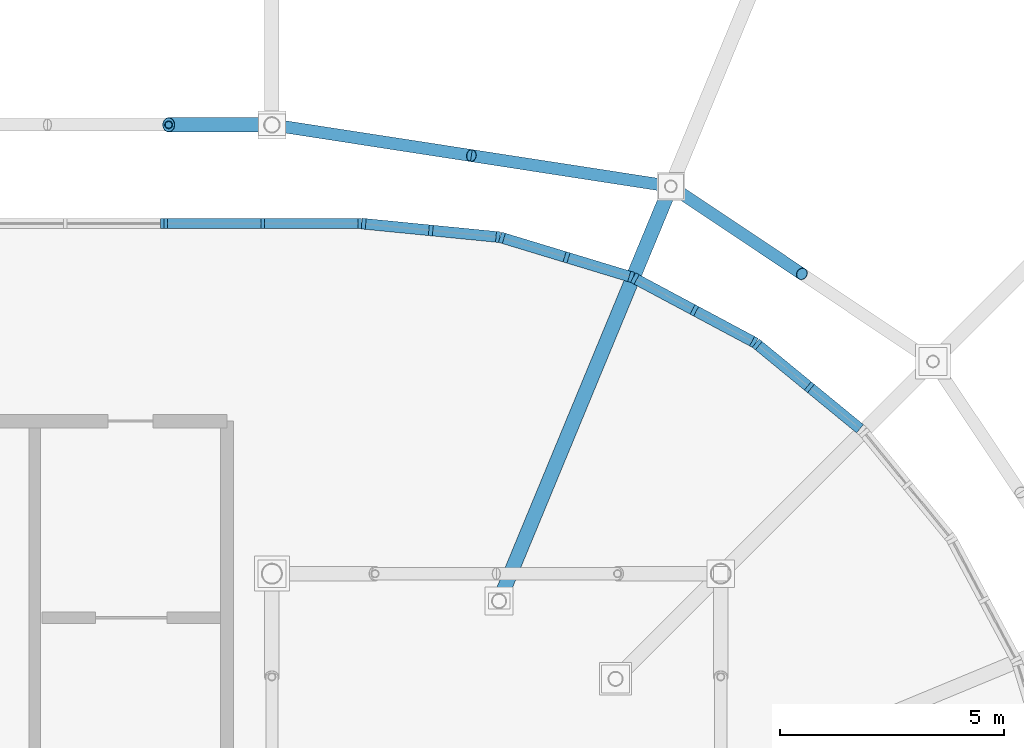
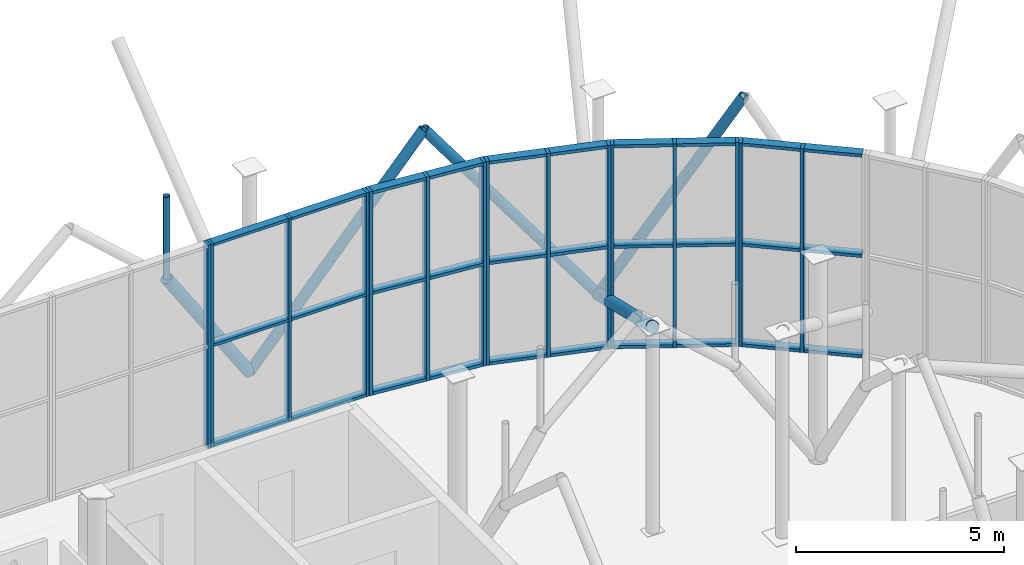
# One storey, part 78 of 109: 51 members, 6 elements without a shape of their own.
"""IFC4 building model written with IfcOpenShell, lengths in metres."""

from ifc_helpers import new_model, si_unit, derived_unit, direction, frame, origin, origin_2d_with_axis, place, context, subcontext, project, spatial, rectangle, hollow_circle, extrude, material, material_profile, profile_set, type_object, element, aggregate, save


model = new_model("IFC4")

# Units and contexts
model_context = context("Model", 3, precision=1e-05, world=origin(), true_north=direction((0.0, 1.0)))
body_context = subcontext(model_context, "Body", "Model", "MODEL_VIEW")
ifc_project = project(units=[si_unit("LENGTHUNIT", "METRE"), si_unit("AREAUNIT", "SQUARE_METRE"), si_unit("VOLUMEUNIT", "CUBIC_METRE"), si_unit("PLANEANGLEUNIT", "RADIAN"), si_unit("MASSUNIT", "GRAM", prefix="KILO"), derived_unit("THERMALTRANSMITTANCEUNIT", [(si_unit("POWERUNIT", "WATT"), 1), (si_unit("LENGTHUNIT", "METRE"), -2), (si_unit("THERMODYNAMICTEMPERATUREUNIT", "KELVIN"), -1)])], contexts=[model_context])

# Site, building, storey
site_placement = place(None, origin())
site = spatial("IfcSite", under=ifc_project, at=site_placement, CompositionType="ELEMENT")
building_placement = place(site_placement, origin())
building = spatial("IfcBuilding", under=site, at=building_placement, Name="Cinnabar Yard Market Hall", CompositionType="ELEMENT")
storey_placement = place(building_placement, frame((0.0, 0.0, 8.39990234375)))
storey = spatial("IfcBuildingStorey", under=building, at=storey_placement, Name="L02", CompositionType="ELEMENT", Elevation=8.39990234375)

# Curtain wall, members
ifc_material_1 = material(Name="Anodised bronze aluminium curved-chord facade", Category="aluminium")
curtain_wall_type_1 = type_object("IfcCurtainWallType", Name="CW-CWC031x60", PredefinedType="NOTDEFINED", material=ifc_material_1)
curtain_wall_1_placement = place(storey_placement, origin())
curtain_wall_1 = element("IfcCurtainWall", 1, at=curtain_wall_1_placement, inside=storey, type_object=curtain_wall_type_1, Name="Corner NE Chord 5 L02", PredefinedType="NOTDEFINED")
ifc_material_2 = material(Name="Anodised bronze aluminium", Category="aluminium")
ifc_material_profile_1 = material_profile(ifc_material_2, rectangle(XDim=0.239990234375, YDim=0.090087890625, at=origin_2d_with_axis()), Name="MUL-CWC")
ifc_profile_set_1 = profile_set([ifc_material_profile_1], Name="Anodised bronze aluminium")
member_type_1 = type_object("IfcMemberType", Name="CWM-CWC", PredefinedType="MULLION", material=ifc_profile_set_1)
member_1_placement = place(storey_placement, frame((157.97509765625, 68.15478515625, 0.0), z_axis=(0.0, 0.0, 1.0), x_axis=(-0.634383400924, -0.773018564222, 0.0)))
member_1 = element("IfcMember", 2, at=member_1_placement, type_object=member_type_1, Name="CWC031x60 mullion 2", PredefinedType="MULLION", context=body_context, shape_type="SweptSolid", body=[
    extrude(rectangle(XDim=0.239990234375, YDim=0.090087890625, at=origin_2d_with_axis()), origin(), (0.0, 0.0, 1.0), 5.97998046875),
])
member_2_placement = place(storey_placement, frame((156.812744140625, 69.108642578125, 0.0), z_axis=(0.0, 0.0, 1.0), x_axis=(-0.634383400924, -0.773018564222, 0.0)))
member_2 = element("IfcMember", 3, at=member_2_placement, type_object=member_type_1, Name="CWC031x60 mullion 3", PredefinedType="MULLION", context=body_context, shape_type="SweptSolid", body=[
    extrude(rectangle(XDim=0.239990234375, YDim=0.090087890625, at=origin_2d_with_axis()), origin(), (0.0, 0.0, 1.0), 5.97998046875),
])

curtain_wall_2_placement = place(storey_placement, origin())
curtain_wall_2 = element("IfcCurtainWall", 4, at=curtain_wall_2_placement, inside=storey, type_object=curtain_wall_type_1, Name="Corner NE Chord 6 L02", PredefinedType="NOTDEFINED")
member_3_placement = place(storey_placement, frame((156.73828125, 69.158447265625, 0.0), z_axis=(0.0, 0.0, 1.0), x_axis=(-0.471404114786, -0.881917320707, 0.0)))
member_3 = element("IfcMember", 5, at=member_3_placement, type_object=member_type_1, Name="CWC031x60 mullion 1", PredefinedType="MULLION", context=body_context, shape_type="SweptSolid", body=[
    extrude(rectangle(XDim=0.239990234375, YDim=0.090087890625, at=origin_2d_with_axis()), origin(), (0.0, 0.0, 1.0), 5.97998046875),
])
member_4_placement = place(storey_placement, frame((155.412109375, 69.8671875, 0.0), z_axis=(0.0, 0.0, 1.0), x_axis=(-0.471404114786, -0.881917320707, 0.0)))
member_4 = element("IfcMember", 6, at=member_4_placement, type_object=member_type_1, Name="CWC031x60 mullion 2", PredefinedType="MULLION", context=body_context, shape_type="SweptSolid", body=[
    extrude(rectangle(XDim=0.239990234375, YDim=0.090087890625, at=origin_2d_with_axis()), origin(), (0.0, 0.0, 1.0), 5.97998046875),
])
member_5_placement = place(storey_placement, frame((154.086181640625, 70.576171875, 0.0), z_axis=(0.0, 0.0, 1.0), x_axis=(-0.471404114786, -0.881917320707, 0.0)))
member_5 = element("IfcMember", 7, at=member_5_placement, type_object=member_type_1, Name="CWC031x60 mullion 3", PredefinedType="MULLION", context=body_context, shape_type="SweptSolid", body=[
    extrude(rectangle(XDim=0.239990234375, YDim=0.090087890625, at=origin_2d_with_axis()), origin(), (0.0, 0.0, 1.0), 5.97998046875),
])

curtain_wall_3_placement = place(storey_placement, origin())
curtain_wall_3 = element("IfcCurtainWall", 8, at=curtain_wall_3_placement, inside=storey, type_object=curtain_wall_type_1, Name="Corner NE Chord 7 L02", PredefinedType="NOTDEFINED")
member_6_placement = place(storey_placement, frame((154.00341796875, 70.6103515625, 0.0), z_axis=(0.0, 0.0, 1.0), x_axis=(-0.290278891325, -0.956942090856, 0.0)))
member_6 = element("IfcMember", 9, at=member_6_placement, type_object=member_type_1, Name="CWC031x60 mullion 1", PredefinedType="MULLION", context=body_context, shape_type="SweptSolid", body=[
    extrude(rectangle(XDim=0.239990234375, YDim=0.090087890625, at=origin_2d_with_axis()), origin(), (0.0, 0.0, 1.0), 5.97998046875),
])
member_7_placement = place(storey_placement, frame((152.564453125, 71.046875, 0.0), z_axis=(0.0, 0.0, 1.0), x_axis=(-0.290278891325, -0.956942090856, 0.0)))
member_7 = element("IfcMember", 10, at=member_7_placement, type_object=member_type_1, Name="CWC031x60 mullion 2", PredefinedType="MULLION", context=body_context, shape_type="SweptSolid", body=[
    extrude(rectangle(XDim=0.239990234375, YDim=0.090087890625, at=origin_2d_with_axis()), origin(), (0.0, 0.0, 1.0), 5.97998046875),
])
member_8_placement = place(storey_placement, frame((151.12548828125, 71.4833984375, 0.0), z_axis=(0.0, 0.0, 1.0), x_axis=(-0.290278891325, -0.956942090856, 0.0)))
member_8 = element("IfcMember", 11, at=member_8_placement, type_object=member_type_1, Name="CWC031x60 mullion 3", PredefinedType="MULLION", context=body_context, shape_type="SweptSolid", body=[
    extrude(rectangle(XDim=0.239990234375, YDim=0.090087890625, at=origin_2d_with_axis()), origin(), (0.0, 0.0, 1.0), 5.97998046875),
])

curtain_wall_4_placement = place(storey_placement, origin())
curtain_wall_4 = element("IfcCurtainWall", 12, at=curtain_wall_4_placement, inside=storey, type_object=curtain_wall_type_1, Name="Corner NE Chord 8 L02", PredefinedType="NOTDEFINED")
member_9_placement = place(storey_placement, frame((151.03759765625, 71.500732421875, 0.0), z_axis=(0.0, 0.0, 1.0), x_axis=(-0.098020369342, -0.995184408637, 0.0)))
member_9 = element("IfcMember", 13, at=member_9_placement, type_object=member_type_1, Name="CWC031x60 mullion 1", PredefinedType="MULLION", context=body_context, shape_type="SweptSolid", body=[
    extrude(rectangle(XDim=0.239990234375, YDim=0.090087890625, at=origin_2d_with_axis()), origin(), (0.0, 0.0, 1.0), 5.97998046875),
])
member_10_placement = place(storey_placement, frame((149.541259765625, 71.648193359375, 0.0), z_axis=(0.0, 0.0, 1.0), x_axis=(-0.098020369342, -0.995184408637, 0.0)))
member_10 = element("IfcMember", 14, at=member_10_placement, type_object=member_type_1, Name="CWC031x60 mullion 2", PredefinedType="MULLION", context=body_context, shape_type="SweptSolid", body=[
    extrude(rectangle(XDim=0.239990234375, YDim=0.090087890625, at=origin_2d_with_axis()), origin(), (0.0, 0.0, 1.0), 5.97998046875),
])
member_11_placement = place(storey_placement, frame((148.044677734375, 71.795654296875, 0.0), z_axis=(0.0, 0.0, 1.0), x_axis=(-0.098020369342, -0.995184408637, 0.0)))
member_11 = element("IfcMember", 15, at=member_11_placement, type_object=member_type_1, Name="CWC031x60 mullion 3", PredefinedType="MULLION", context=body_context, shape_type="SweptSolid", body=[
    extrude(rectangle(XDim=0.239990234375, YDim=0.090087890625, at=origin_2d_with_axis()), origin(), (0.0, 0.0, 1.0), 5.97998046875),
])

# Curtain wall, member
ifc_material_3 = material(Name="Anodised bronze aluminium and low-E glass", Category="aluminium")
curtain_wall_type_2 = type_object("IfcCurtainWallType", Name="CW-CWH044x60", PredefinedType="NOTDEFINED", material=ifc_material_3)
curtain_wall_5_placement = place(storey_placement, origin())
curtain_wall_5 = element("IfcCurtainWall", 16, at=curtain_wall_5_placement, inside=storey, type_object=curtain_wall_type_2, Name="Market Hall North Upper Clerestory PTE", PredefinedType="NOTDEFINED")
ifc_material_profile_2 = material_profile(ifc_material_2, rectangle(XDim=0.219970703125, YDim=0.080078125, at=origin_2d_with_axis()), Name="MUL-CWH")
ifc_profile_set_2 = profile_set([ifc_material_profile_2], Name="Anodised bronze aluminium")
member_type_2 = type_object("IfcMemberType", Name="CWM-CWH", PredefinedType="MULLION", material=ifc_profile_set_2)
member_12_placement = place(storey_placement, frame((143.56005859375, 71.800048828125, 0.0), z_axis=(0.0, 0.0, 1.0), x_axis=(0.0, -1.0, 0.0)))
member_12 = element("IfcMember", 17, at=member_12_placement, type_object=member_type_2, Name="CWH044x60 mullion 1", PredefinedType="MULLION", context=body_context, shape_type="SweptSolid", body=[
    extrude(rectangle(XDim=0.219970703125, YDim=0.080078125, at=origin_2d_with_axis()), origin(), (0.0, 0.0, 1.0), 5.97998046875),
])
aggregate(curtain_wall_5, [member_12])

# Curtain wall, members
curtain_wall_6_placement = place(storey_placement, origin())
curtain_wall_6 = element("IfcCurtainWall", 18, at=curtain_wall_6_placement, inside=storey, type_object=curtain_wall_type_2, Name="Market Hall North Upper Clerestory B6B", PredefinedType="NOTDEFINED")
member_13_placement = place(storey_placement, frame((147.9599609375, 71.800048828125, 0.0), z_axis=(0.0, 0.0, 1.0), x_axis=(0.0, -1.0, 0.0)))
member_13 = element("IfcMember", 19, at=member_13_placement, type_object=member_type_2, Name="CWH044x60 mullion 1", PredefinedType="MULLION", context=body_context, shape_type="SweptSolid", body=[
    extrude(rectangle(XDim=0.219970703125, YDim=0.080078125, at=origin_2d_with_axis()), origin(), (0.0, 0.0, 1.0), 5.97998046875),
])
member_14_placement = place(storey_placement, frame((145.800048828125, 71.800048828125, 0.0), z_axis=(0.0, 0.0, 1.0), x_axis=(0.0, -1.0, 0.0)))
member_14 = element("IfcMember", 20, at=member_14_placement, type_object=member_type_2, Name="CWH044x60 mullion 2", PredefinedType="MULLION", context=body_context, shape_type="SweptSolid", body=[
    extrude(rectangle(XDim=0.219970703125, YDim=0.080078125, at=origin_2d_with_axis()), origin(), (0.0, 0.0, 1.0), 5.97998046875),
])
member_15_placement = place(storey_placement, frame((143.639892578125, 71.800048828125, 0.0), z_axis=(0.0, 0.0, 1.0), x_axis=(0.0, -1.0, 0.0)))
member_15 = element("IfcMember", 21, at=member_15_placement, type_object=member_type_2, Name="CWH044x60 mullion 3", PredefinedType="MULLION", context=body_context, shape_type="SweptSolid", body=[
    extrude(rectangle(XDim=0.219970703125, YDim=0.080078125, at=origin_2d_with_axis()), origin(), (0.0, 0.0, 1.0), 5.97998046875),
])

# Member
ifc_material_profile_3 = material_profile(ifc_material_2, rectangle(XDim=0.239990234375, YDim=0.090087890625, at=origin_2d_with_axis()), Name="TRN-CWC")
ifc_profile_set_3 = profile_set([ifc_material_profile_3], Name="Anodised bronze aluminium")
member_type_3 = type_object("IfcMemberType", Name="CWT-CWC", PredefinedType="USERDEFINED", material=ifc_profile_set_3)
member_16_placement = place(storey_placement, frame((159.102783203125, 67.2294921875, 0.045166015625), z_axis=(-0.773040795861, 0.634356309919, 0.0), x_axis=(-0.634356309919, -0.773040795861, 0.0)))
member_16 = element("IfcMember", 22, at=member_16_placement, type_object=member_type_3, Name="CWC031x60 transom 1.1", ObjectType="TRANSOM", PredefinedType="USERDEFINED", context=body_context, shape_type="SweptSolid", body=[
    extrude(rectangle(XDim=0.239990234375, YDim=0.090087890625, at=origin_2d_with_axis()), origin(), (0.0, 0.0, 1.0), 1.41357421875),
])

member_17_placement = place(storey_placement, frame((159.102783203125, 67.2294921875, 2.989990234375), z_axis=(-0.773040795861, 0.634356309919, 0.0), x_axis=(-0.634356309919, -0.773040795861, 0.0)))
member_17 = element("IfcMember", 23, at=member_17_placement, type_object=member_type_3, Name="CWC031x60 transom 1.2", ObjectType="TRANSOM", PredefinedType="USERDEFINED", context=body_context, shape_type="SweptSolid", body=[
    extrude(rectangle(XDim=0.239990234375, YDim=0.090087890625, at=origin_2d_with_axis()), origin(), (0.0, 0.0, 1.0), 1.41357421875),
])

member_18_placement = place(storey_placement, frame((159.102783203125, 67.2294921875, 5.93505859375), z_axis=(-0.773040795861, 0.634356309919, 0.0), x_axis=(-0.634356309919, -0.773040795861, 0.0)))
member_18 = element("IfcMember", 24, at=member_18_placement, type_object=member_type_3, Name="CWC031x60 transom 1.3", ObjectType="TRANSOM", PredefinedType="USERDEFINED", context=body_context, shape_type="SweptSolid", body=[
    extrude(rectangle(XDim=0.239990234375, YDim=0.090087890625, at=origin_2d_with_axis()), origin(), (0.0, 0.0, 1.0), 1.41357421875),
])

member_19_placement = place(storey_placement, frame((157.9404296875, 68.183349609375, 0.045166015625), z_axis=(-0.773040795861, 0.634356309919, 0.0), x_axis=(-0.634356309919, -0.773040795861, 0.0)))
member_19 = element("IfcMember", 25, at=member_19_placement, type_object=member_type_3, Name="CWC031x60 transom 2.1", ObjectType="TRANSOM", PredefinedType="USERDEFINED", context=body_context, shape_type="SweptSolid", body=[
    extrude(rectangle(XDim=0.239990234375, YDim=0.090087890625, at=origin_2d_with_axis()), origin(), (0.0, 0.0, 1.0), 1.41357421875),
])

member_20_placement = place(storey_placement, frame((157.9404296875, 68.183349609375, 2.989990234375), z_axis=(-0.773040795861, 0.634356309919, 0.0), x_axis=(-0.634356309919, -0.773040795861, 0.0)))
member_20 = element("IfcMember", 26, at=member_20_placement, type_object=member_type_3, Name="CWC031x60 transom 2.2", ObjectType="TRANSOM", PredefinedType="USERDEFINED", context=body_context, shape_type="SweptSolid", body=[
    extrude(rectangle(XDim=0.239990234375, YDim=0.090087890625, at=origin_2d_with_axis()), origin(), (0.0, 0.0, 1.0), 1.41357421875),
])

member_21_placement = place(storey_placement, frame((157.9404296875, 68.183349609375, 5.93505859375), z_axis=(-0.773040795861, 0.634356309919, 0.0), x_axis=(-0.634356309919, -0.773040795861, 0.0)))
member_21 = element("IfcMember", 27, at=member_21_placement, type_object=member_type_3, Name="CWC031x60 transom 2.3", ObjectType="TRANSOM", PredefinedType="USERDEFINED", context=body_context, shape_type="SweptSolid", body=[
    extrude(rectangle(XDim=0.239990234375, YDim=0.090087890625, at=origin_2d_with_axis()), origin(), (0.0, 0.0, 1.0), 1.41357421875),
])

aggregate(curtain_wall_1, [member_1, member_2, member_16, member_17, member_18, member_19, member_20, member_21])

member_22_placement = place(storey_placement, frame((156.69873046875, 69.1796875, 0.045166015625), z_axis=(-0.881974989496, 0.471296210365, 0.0), x_axis=(-0.471296210365, -0.881974989496, 0.0)))
member_22 = element("IfcMember", 28, at=member_22_placement, type_object=member_type_3, Name="CWC031x60 transom 1.1", ObjectType="TRANSOM", PredefinedType="USERDEFINED", context=body_context, shape_type="SweptSolid", body=[
    extrude(rectangle(XDim=0.239990234375, YDim=0.090087890625, at=origin_2d_with_axis()), origin(), (0.0, 0.0, 1.0), 1.41357421875),
])

member_23_placement = place(storey_placement, frame((156.69873046875, 69.1796875, 2.989990234375), z_axis=(-0.881974989496, 0.471296210365, 0.0), x_axis=(-0.471296210365, -0.881974989496, 0.0)))
member_23 = element("IfcMember", 29, at=member_23_placement, type_object=member_type_3, Name="CWC031x60 transom 1.2", ObjectType="TRANSOM", PredefinedType="USERDEFINED", context=body_context, shape_type="SweptSolid", body=[
    extrude(rectangle(XDim=0.239990234375, YDim=0.090087890625, at=origin_2d_with_axis()), origin(), (0.0, 0.0, 1.0), 1.41357421875),
])

member_24_placement = place(storey_placement, frame((156.69873046875, 69.1796875, 5.93505859375), z_axis=(-0.881974989496, 0.471296210365, 0.0), x_axis=(-0.471296210365, -0.881974989496, 0.0)))
member_24 = element("IfcMember", 30, at=member_24_placement, type_object=member_type_3, Name="CWC031x60 transom 1.3", ObjectType="TRANSOM", PredefinedType="USERDEFINED", context=body_context, shape_type="SweptSolid", body=[
    extrude(rectangle(XDim=0.239990234375, YDim=0.090087890625, at=origin_2d_with_axis()), origin(), (0.0, 0.0, 1.0), 1.41357421875),
])

member_25_placement = place(storey_placement, frame((155.37255859375, 69.888427734375, 0.045166015625), z_axis=(-0.881903198965, 0.471430533224, 0.0), x_axis=(-0.471430533224, -0.881903198965, 0.0)))
member_25 = element("IfcMember", 31, at=member_25_placement, type_object=member_type_3, Name="CWC031x60 transom 2.1", ObjectType="TRANSOM", PredefinedType="USERDEFINED", context=body_context, shape_type="SweptSolid", body=[
    extrude(rectangle(XDim=0.239990234375, YDim=0.090087890625, at=origin_2d_with_axis()), origin(), (0.0, 0.0, 1.0), 1.413818359375),
])

member_26_placement = place(storey_placement, frame((155.37255859375, 69.888427734375, 2.989990234375), z_axis=(-0.881903198965, 0.471430533224, 0.0), x_axis=(-0.471430533224, -0.881903198965, 0.0)))
member_26 = element("IfcMember", 32, at=member_26_placement, type_object=member_type_3, Name="CWC031x60 transom 2.2", ObjectType="TRANSOM", PredefinedType="USERDEFINED", context=body_context, shape_type="SweptSolid", body=[
    extrude(rectangle(XDim=0.239990234375, YDim=0.090087890625, at=origin_2d_with_axis()), origin(), (0.0, 0.0, 1.0), 1.413818359375),
])

member_27_placement = place(storey_placement, frame((155.37255859375, 69.888427734375, 5.93505859375), z_axis=(-0.881903198965, 0.471430533224, 0.0), x_axis=(-0.471430533224, -0.881903198965, 0.0)))
member_27 = element("IfcMember", 33, at=member_27_placement, type_object=member_type_3, Name="CWC031x60 transom 2.3", ObjectType="TRANSOM", PredefinedType="USERDEFINED", context=body_context, shape_type="SweptSolid", body=[
    extrude(rectangle(XDim=0.239990234375, YDim=0.090087890625, at=origin_2d_with_axis()), origin(), (0.0, 0.0, 1.0), 1.413818359375),
])

aggregate(curtain_wall_2, [member_3, member_4, member_5, member_22, member_23, member_24, member_25, member_26, member_27])

member_28_placement = place(storey_placement, frame((153.960205078125, 70.62353515625, 0.045166015625), z_axis=(-0.956980816915, 0.290151195166, 0.0), x_axis=(-0.290151195166, -0.956980816915, 0.0)))
member_28 = element("IfcMember", 34, at=member_28_placement, type_object=member_type_3, Name="CWC031x60 transom 1.1", ObjectType="TRANSOM", PredefinedType="USERDEFINED", context=body_context, shape_type="SweptSolid", body=[
    extrude(rectangle(XDim=0.239990234375, YDim=0.090087890625, at=origin_2d_with_axis()), origin(), (0.0, 0.0, 1.0), 1.41357421875),
])

member_29_placement = place(storey_placement, frame((153.960205078125, 70.62353515625, 2.989990234375), z_axis=(-0.956980816915, 0.290151195166, 0.0), x_axis=(-0.290151195166, -0.956980816915, 0.0)))
member_29 = element("IfcMember", 35, at=member_29_placement, type_object=member_type_3, Name="CWC031x60 transom 1.2", ObjectType="TRANSOM", PredefinedType="USERDEFINED", context=body_context, shape_type="SweptSolid", body=[
    extrude(rectangle(XDim=0.239990234375, YDim=0.090087890625, at=origin_2d_with_axis()), origin(), (0.0, 0.0, 1.0), 1.41357421875),
])

member_30_placement = place(storey_placement, frame((153.960205078125, 70.62353515625, 5.93505859375), z_axis=(-0.956980816915, 0.290151195166, 0.0), x_axis=(-0.290151195166, -0.956980816915, 0.0)))
member_30 = element("IfcMember", 36, at=member_30_placement, type_object=member_type_3, Name="CWC031x60 transom 1.3", ObjectType="TRANSOM", PredefinedType="USERDEFINED", context=body_context, shape_type="SweptSolid", body=[
    extrude(rectangle(XDim=0.239990234375, YDim=0.090087890625, at=origin_2d_with_axis()), origin(), (0.0, 0.0, 1.0), 1.41357421875),
])

member_31_placement = place(storey_placement, frame((152.521240234375, 71.059814453125, 0.045166015625), z_axis=(-0.956932850279, 0.290309352341, 0.0), x_axis=(-0.290309352341, -0.956932850279, 0.0)))
member_31 = element("IfcMember", 37, at=member_31_placement, type_object=member_type_3, Name="CWC031x60 transom 2.1", ObjectType="TRANSOM", PredefinedType="USERDEFINED", context=body_context, shape_type="SweptSolid", body=[
    extrude(rectangle(XDim=0.239990234375, YDim=0.090087890625, at=origin_2d_with_axis()), origin(), (0.0, 0.0, 1.0), 1.41357421875),
])

member_32_placement = place(storey_placement, frame((152.521240234375, 71.059814453125, 2.989990234375), z_axis=(-0.956932850279, 0.290309352341, 0.0), x_axis=(-0.290309352341, -0.956932850279, 0.0)))
member_32 = element("IfcMember", 38, at=member_32_placement, type_object=member_type_3, Name="CWC031x60 transom 2.2", ObjectType="TRANSOM", PredefinedType="USERDEFINED", context=body_context, shape_type="SweptSolid", body=[
    extrude(rectangle(XDim=0.239990234375, YDim=0.090087890625, at=origin_2d_with_axis()), origin(), (0.0, 0.0, 1.0), 1.41357421875),
])

member_33_placement = place(storey_placement, frame((152.521240234375, 71.059814453125, 5.93505859375), z_axis=(-0.956932850279, 0.290309352341, 0.0), x_axis=(-0.290309352341, -0.956932850279, 0.0)))
member_33 = element("IfcMember", 39, at=member_33_placement, type_object=member_type_3, Name="CWC031x60 transom 2.3", ObjectType="TRANSOM", PredefinedType="USERDEFINED", context=body_context, shape_type="SweptSolid", body=[
    extrude(rectangle(XDim=0.239990234375, YDim=0.090087890625, at=origin_2d_with_axis()), origin(), (0.0, 0.0, 1.0), 1.41357421875),
])

aggregate(curtain_wall_3, [member_6, member_7, member_8, member_28, member_29, member_30, member_31, member_32, member_33])

member_34_placement = place(storey_placement, frame((150.992919921875, 71.505126953125, 0.045166015625), z_axis=(-0.995178086946, 0.098084531214, 0.0), x_axis=(-0.098084531214, -0.995178086946, 0.0)))
member_34 = element("IfcMember", 40, at=member_34_placement, type_object=member_type_3, Name="CWC031x60 transom 1.1", ObjectType="TRANSOM", PredefinedType="USERDEFINED", context=body_context, shape_type="SweptSolid", body=[
    extrude(rectangle(XDim=0.239990234375, YDim=0.090087890625, at=origin_2d_with_axis()), origin(), (0.0, 0.0, 1.0), 1.413818359375),
])

member_35_placement = place(storey_placement, frame((150.992919921875, 71.505126953125, 2.989990234375), z_axis=(-0.995178086946, 0.098084531214, 0.0), x_axis=(-0.098084531214, -0.995178086946, 0.0)))
member_35 = element("IfcMember", 41, at=member_35_placement, type_object=member_type_3, Name="CWC031x60 transom 1.2", ObjectType="TRANSOM", PredefinedType="USERDEFINED", context=body_context, shape_type="SweptSolid", body=[
    extrude(rectangle(XDim=0.239990234375, YDim=0.090087890625, at=origin_2d_with_axis()), origin(), (0.0, 0.0, 1.0), 1.413818359375),
])

member_36_placement = place(storey_placement, frame((150.992919921875, 71.505126953125, 5.93505859375), z_axis=(-0.995178086946, 0.098084531214, 0.0), x_axis=(-0.098084531214, -0.995178086946, 0.0)))
member_36 = element("IfcMember", 42, at=member_36_placement, type_object=member_type_3, Name="CWC031x60 transom 1.3", ObjectType="TRANSOM", PredefinedType="USERDEFINED", context=body_context, shape_type="SweptSolid", body=[
    extrude(rectangle(XDim=0.239990234375, YDim=0.090087890625, at=origin_2d_with_axis()), origin(), (0.0, 0.0, 1.0), 1.413818359375),
])

member_37_placement = place(storey_placement, frame((149.496337890625, 71.652587890625, 0.045166015625), z_axis=(-0.995176425197, 0.098101390058, 0.0), x_axis=(-0.098101390058, -0.995176425197, 0.0)))
member_37 = element("IfcMember", 43, at=member_37_placement, type_object=member_type_3, Name="CWC031x60 transom 2.1", ObjectType="TRANSOM", PredefinedType="USERDEFINED", context=body_context, shape_type="SweptSolid", body=[
    extrude(rectangle(XDim=0.239990234375, YDim=0.090087890625, at=origin_2d_with_axis()), origin(), (0.0, 0.0, 1.0), 1.41357421875),
])

member_38_placement = place(storey_placement, frame((149.496337890625, 71.652587890625, 2.989990234375), z_axis=(-0.995176425197, 0.098101390058, 0.0), x_axis=(-0.098101390058, -0.995176425197, 0.0)))
member_38 = element("IfcMember", 44, at=member_38_placement, type_object=member_type_3, Name="CWC031x60 transom 2.2", ObjectType="TRANSOM", PredefinedType="USERDEFINED", context=body_context, shape_type="SweptSolid", body=[
    extrude(rectangle(XDim=0.239990234375, YDim=0.090087890625, at=origin_2d_with_axis()), origin(), (0.0, 0.0, 1.0), 1.41357421875),
])

member_39_placement = place(storey_placement, frame((149.496337890625, 71.652587890625, 5.93505859375), z_axis=(-0.995176425197, 0.098101390058, 0.0), x_axis=(-0.098101390058, -0.995176425197, 0.0)))
member_39 = element("IfcMember", 45, at=member_39_placement, type_object=member_type_3, Name="CWC031x60 transom 2.3", ObjectType="TRANSOM", PredefinedType="USERDEFINED", context=body_context, shape_type="SweptSolid", body=[
    extrude(rectangle(XDim=0.239990234375, YDim=0.090087890625, at=origin_2d_with_axis()), origin(), (0.0, 0.0, 1.0), 1.41357421875),
])

aggregate(curtain_wall_4, [member_9, member_10, member_11, member_34, member_35, member_36, member_37, member_38, member_39])

ifc_material_profile_4 = material_profile(ifc_material_2, rectangle(XDim=0.219970703125, YDim=0.080078125, at=origin_2d_with_axis()), Name="TRN-CWH")
ifc_profile_set_4 = profile_set([ifc_material_profile_4], Name="Anodised bronze aluminium")
member_type_4 = type_object("IfcMemberType", Name="CWT-CWH", PredefinedType="USERDEFINED", material=ifc_profile_set_4)
member_40_placement = place(storey_placement, frame((147.919921875, 71.800048828125, 0.0400390625), z_axis=(-1.0, 0.0, 0.0), x_axis=(0.0, -1.0, 0.0)))
member_40 = element("IfcMember", 46, at=member_40_placement, type_object=member_type_4, Name="CWH044x60 transom 1.1", ObjectType="TRANSOM", PredefinedType="USERDEFINED", context=body_context, shape_type="SweptSolid", body=[
    extrude(rectangle(XDim=0.219970703125, YDim=0.080078125, at=origin_2d_with_axis()), origin(), (0.0, 0.0, 1.0), 2.079833984375),
])

member_41_placement = place(storey_placement, frame((147.919921875, 71.800048828125, 2.989990234375), z_axis=(-1.0, 0.0, 0.0), x_axis=(0.0, -1.0, 0.0)))
member_41 = element("IfcMember", 47, at=member_41_placement, type_object=member_type_4, Name="CWH044x60 transom 1.2", ObjectType="TRANSOM", PredefinedType="USERDEFINED", context=body_context, shape_type="SweptSolid", body=[
    extrude(rectangle(XDim=0.219970703125, YDim=0.080078125, at=origin_2d_with_axis()), origin(), (0.0, 0.0, 1.0), 2.079833984375),
])

member_42_placement = place(storey_placement, frame((147.919921875, 71.800048828125, 5.940185546875), z_axis=(-1.0, 0.0, 0.0), x_axis=(0.0, -1.0, 0.0)))
member_42 = element("IfcMember", 48, at=member_42_placement, type_object=member_type_4, Name="CWH044x60 transom 1.3", ObjectType="TRANSOM", PredefinedType="USERDEFINED", context=body_context, shape_type="SweptSolid", body=[
    extrude(rectangle(XDim=0.219970703125, YDim=0.080078125, at=origin_2d_with_axis()), origin(), (0.0, 0.0, 1.0), 2.079833984375),
])

member_43_placement = place(storey_placement, frame((145.760009765625, 71.800048828125, 0.0400390625), z_axis=(-1.0, 0.0, 0.0), x_axis=(0.0, -1.0, 0.0)))
member_43 = element("IfcMember", 49, at=member_43_placement, type_object=member_type_4, Name="CWH044x60 transom 2.1", ObjectType="TRANSOM", PredefinedType="USERDEFINED", context=body_context, shape_type="SweptSolid", body=[
    extrude(rectangle(XDim=0.219970703125, YDim=0.080078125, at=origin_2d_with_axis()), origin(), (0.0, 0.0, 1.0), 2.080078125),
])

member_44_placement = place(storey_placement, frame((145.760009765625, 71.800048828125, 2.989990234375), z_axis=(-1.0, 0.0, 0.0), x_axis=(0.0, -1.0, 0.0)))
member_44 = element("IfcMember", 50, at=member_44_placement, type_object=member_type_4, Name="CWH044x60 transom 2.2", ObjectType="TRANSOM", PredefinedType="USERDEFINED", context=body_context, shape_type="SweptSolid", body=[
    extrude(rectangle(XDim=0.219970703125, YDim=0.080078125, at=origin_2d_with_axis()), origin(), (0.0, 0.0, 1.0), 2.080078125),
])

member_45_placement = place(storey_placement, frame((145.760009765625, 71.800048828125, 5.940185546875), z_axis=(-1.0, 0.0, 0.0), x_axis=(0.0, -1.0, 0.0)))
member_45 = element("IfcMember", 51, at=member_45_placement, type_object=member_type_4, Name="CWH044x60 transom 2.3", ObjectType="TRANSOM", PredefinedType="USERDEFINED", context=body_context, shape_type="SweptSolid", body=[
    extrude(rectangle(XDim=0.219970703125, YDim=0.080078125, at=origin_2d_with_axis()), origin(), (0.0, 0.0, 1.0), 2.080078125),
])

aggregate(curtain_wall_6, [member_13, member_14, member_15, member_40, member_41, member_42, member_43, member_44, member_45])

# Members
ifc_material_4 = material(Name="Spotted-gum glulam-clad steel Grade 350 (350 MPa)", Category="steel")
ifc_material_profile_5 = material_profile(ifc_material_4, hollow_circle(Radius=0.136474609375, WallThickness=0.00927734375, at=origin_2d_with_axis()), Name="273.1x9.3CHS")
ifc_profile_set_5 = profile_set([ifc_material_profile_5], Name="Spotted-gum glulam-clad steel Grade 350 (350 MPa)")
member_type_5 = type_object("IfcMemberType", Name="MB-AR01E", PredefinedType="USERDEFINED", material=ifc_profile_set_5)
member_46_placement = place(storey_placement, frame((154.88818359375, 72.6298828125, 0.0), z_axis=(0.42105010271, -0.281322020966, 0.862307793962), x_axis=(0.555550213974, 0.831482988253, 0.0)))
element("IfcMember", 52, at=member_46_placement, inside=storey, type_object=member_type_5, Name="Corner Pointed Arch NE 3B", ObjectType="ARCH RIB", PredefinedType="USERDEFINED", context=body_context, shape_type="SweptSolid", body=[
    extrude(hollow_circle(Radius=0.136474609375, WallThickness=0.00927734375, at=origin_2d_with_axis()), origin(), (0.0, 0.0, 1.0), 6.934814453125),
])
for number, where, z_axis, x_axis, name in (
    (53, (154.88818359375, 72.6298828125, 0.0), (-0.593975880497, 0.09156162834, 0.799255354441), (-0.152350933845, -0.988326460719, 0.0), "Corner Pointed Arch NE 4A"),
    (54, (146.0, 74.0, 0.0), (0.593975880497, -0.09156162834, 0.799255354441), (0.152350933845, 0.988326460719, 0.0), "Corner Pointed Arch NE 4B"),
):
    element("IfcMember", number, at=place(storey_placement, frame(where, z_axis=z_axis, x_axis=x_axis)), inside=storey, type_object=member_type_5, Name=name, ObjectType="ARCH RIB", PredefinedType="USERDEFINED", context=body_context, shape_type="SweptSolid", body=[
        extrude(hollow_circle(Radius=0.136474609375, WallThickness=0.00927734375, at=origin_2d_with_axis()), origin(), (0.0, 0.0, 1.0), 7.48193359375),
    ])
ifc_material_profile_6 = material_profile(ifc_material_4, hollow_circle(Radius=0.161865234375, WallThickness=0.009521484375, at=origin_2d_with_axis()), Name="323.9x9.5CHS")
ifc_profile_set_6 = profile_set([ifc_material_profile_6], Name="Spotted-gum glulam-clad steel Grade 350 (350 MPa)")
member_type_6 = type_object("IfcMemberType", Name="MB-ST01E", PredefinedType="STRUT", material=ifc_profile_set_6)
member_47_placement = place(storey_placement, frame((146.0, 74.0, 0.0), z_axis=(-0.543744165176, 0.0, 0.839251024925), x_axis=(0.0, -1.0, 0.0)))
element("IfcMember", 55, at=member_47_placement, inside=storey, type_object=member_type_6, Name="Curved Branch Arm Lower 0168", PredefinedType="STRUT", context=body_context, shape_type="SweptSolid", body=[
    extrude(hollow_circle(Radius=0.161865234375, WallThickness=0.009521484375, at=origin_2d_with_axis()), origin(), (0.0, 0.0, 1.0), 4.22998046875),
])
member_48_placement = place(storey_placement, frame((154.88818359375, 72.6298828125, 0.0), z_axis=(-0.328425302123, -0.792922692544, 0.513235252661), x_axis=(0.923885312463, -0.382669478028, 0.0)))
element("IfcMember", 56, at=member_48_placement, inside=storey, type_object=member_type_6, Name="Corner Radial Inward Arm NE-6", PredefinedType="STRUT", context=body_context, shape_type="SweptSolid", body=[
    extrude(hollow_circle(Radius=0.161865234375, WallThickness=0.009521484375, at=origin_2d_with_axis()), origin(), (0.0, 0.0, 1.0), 11.651611328125),
])
ifc_material_5 = material(Name="Cold-formed steel C350L0", Category="steel")
ifc_material_profile_7 = material_profile(ifc_material_5, hollow_circle(Radius=0.084228515625, WallThickness=0.00634765625, at=origin_2d_with_axis()), Name="168.3x6.4CHS")
ifc_profile_set_7 = profile_set([ifc_material_profile_7], Name="Cold-formed steel C350L0")
member_type_7 = type_object("IfcMemberType", Name="MB-WB01E", PredefinedType="STRUT", material=ifc_profile_set_7)
member_49_placement = place(storey_placement, frame((143.699951171875, 74.0, 3.550048828125), z_axis=(0.0, 0.0, 1.0), x_axis=(1.0, 0.0, 0.0)))
element("IfcMember", 57, at=member_49_placement, inside=storey, type_object=member_type_7, Name="Arch Spandrel Post 0168", PredefinedType="STRUT", context=body_context, shape_type="SweptSolid", body=[
    extrude(hollow_circle(Radius=0.084228515625, WallThickness=0.00634765625, at=origin_2d_with_axis()), origin(), (0.0, 0.0, 1.0), 2.429931640625),
])

save(model, "model.ifc")
